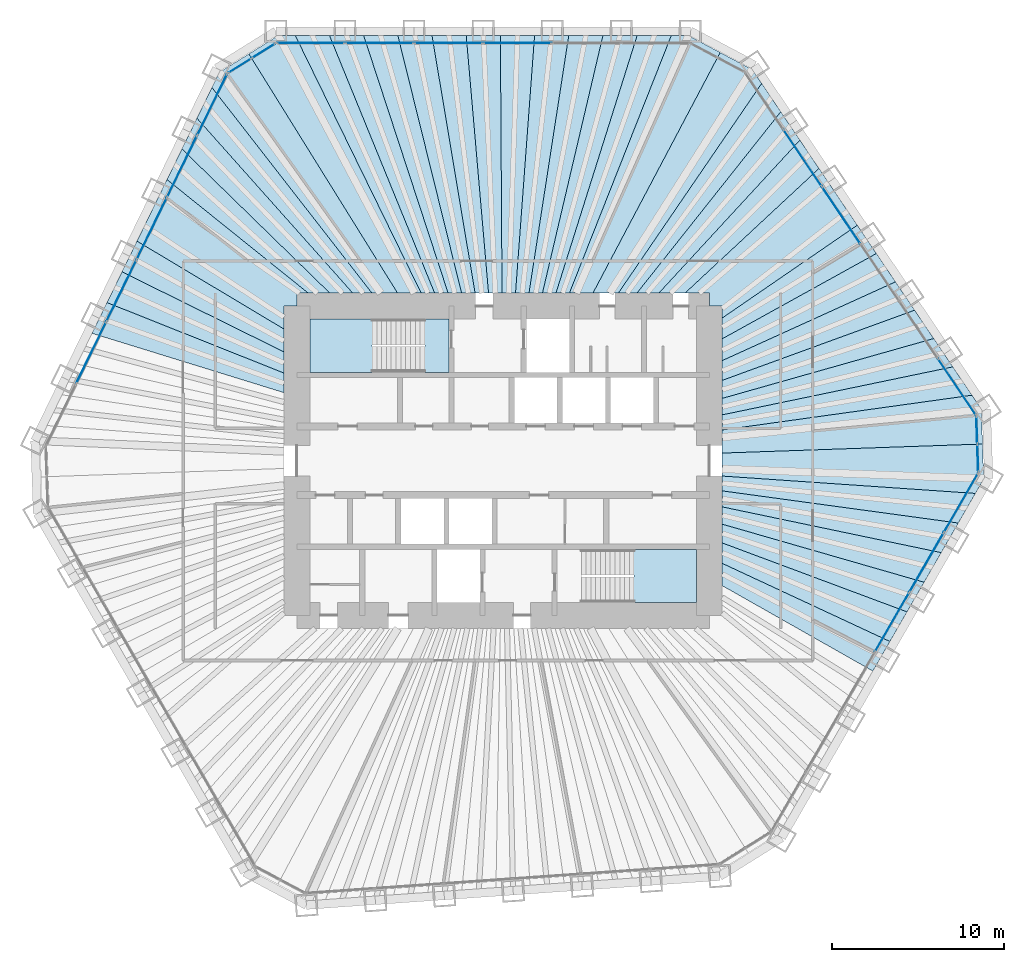
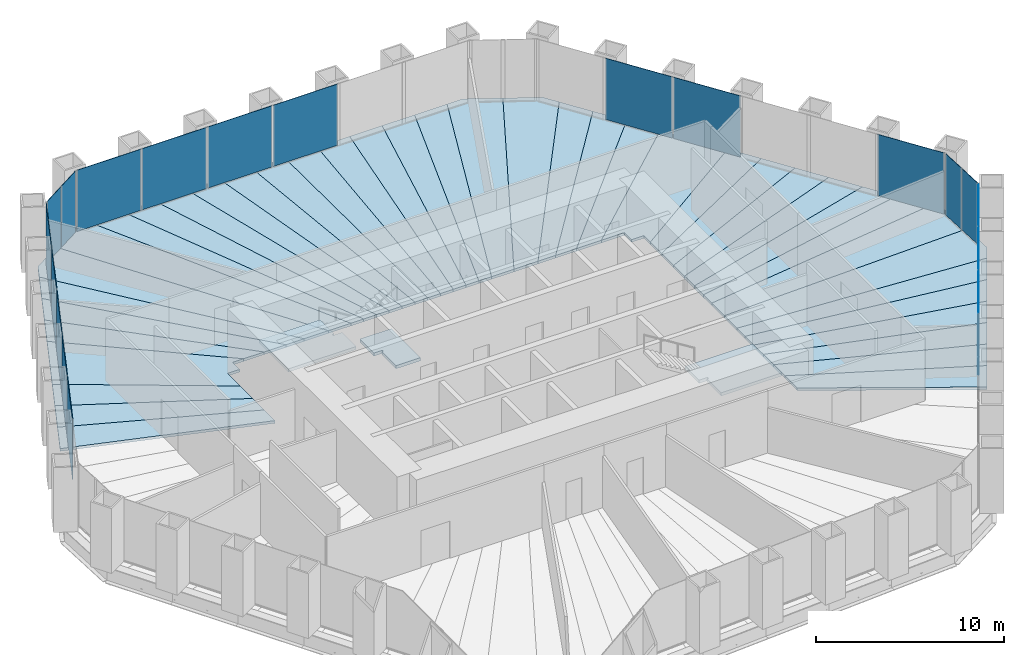
# One storey, part 9 of 13: 43 slabs, 19 plates, 8 elements without a shape of their own.
"""IFC4 building model written with IfcOpenShell, lengths in metres."""

from ifc_helpers import new_model, si_unit, direction, frame, origin, origin_2d, place, context, subcontext, project, spatial, polyline, rectangle, outline, extrude, material, layer, layer_set, type_object, element, aggregate, save


model = new_model("IFC4")

# Units and contexts
model_context = context("Model", 3, precision=1e-05, world=origin(), true_north=direction((0.0, 1.0)))
body_context = subcontext(model_context, "Body", "Model", "MODEL_VIEW")
ifc_project = project(units=[si_unit("LENGTHUNIT", "METRE"), si_unit("AREAUNIT", "SQUARE_METRE"), si_unit("VOLUMEUNIT", "CUBIC_METRE"), si_unit("PLANEANGLEUNIT", "RADIAN"), si_unit("MASSUNIT", "GRAM", prefix="KILO")], contexts=[model_context])

# Site, building, storey
site_placement = place(None, origin())
site = spatial("IfcSite", under=ifc_project, at=site_placement, CompositionType="ELEMENT")
building_placement = place(site_placement, origin())
building = spatial("IfcBuilding", under=site, at=building_placement, Name="Qingtian Harvest Tower", CompositionType="ELEMENT")
storey_placement = place(building_placement, frame((0.0, 0.0, 119.800048828125)))
storey = spatial("IfcBuildingStorey", under=building, at=storey_placement, Name="L24", CompositionType="ELEMENT", Elevation=119.800048828125)

# Slabs
ifc_material_1 = material(Name="Concrete fc' 35 MPa", Category="concrete")
ifc_layer_1 = layer(ifc_material_1, 0.169921875)
ifc_layer_set_1 = layer_set([ifc_layer_1], Name="Composite floor slab FS17 170")
slab_type_1 = type_object("IfcSlabType", Name="Composite floor slab FS17 170", PredefinedType="FLOOR", material=ifc_layer_set_1)
slab_1_placement = place(storey_placement, frame((0.0, 0.0, -0.170166015625)))
element("IfcSlab", 1, at=slab_1_placement, inside=storey, type_object=slab_type_1, Name="Floor slab L24 panel D33", PredefinedType="FLOOR", context=body_context, shape_type="SweptSolid", body=[
    extrude(outline(polyline([(12.75, -5.97021484375), (22.51220703125, -10.517578125), (21.517333984375, -12.24072265625), (12.75, -7.268798828125), (12.75, -5.97021484375)])), origin(), (0.0, 0.0, 1.0), 0.170166015625),
])
slab_2_placement = place(storey_placement, frame((0.0, 0.0, -0.170166015625)))
element("IfcSlab", 2, at=slab_2_placement, inside=storey, type_object=slab_type_1, Name="Floor slab L24 panel D34", PredefinedType="FLOOR", context=body_context, shape_type="SweptSolid", body=[
    extrude(outline(polyline([(12.75, -4.78173828125), (23.50732421875, -8.794189453125), (22.51220703125, -10.517578125), (12.75, -5.97021484375), (12.75, -4.78173828125)])), origin(), (0.0, 0.0, 1.0), 0.170166015625),
])
slab_3_placement = place(storey_placement, frame((0.0, 0.0, -0.170166015625)))
element("IfcSlab", 3, at=slab_3_placement, inside=storey, type_object=slab_type_1, Name="Floor slab L24 panel D35", PredefinedType="FLOOR", context=body_context, shape_type="SweptSolid", body=[
    extrude(outline(polyline([(12.75, -3.68994140625), (24.502197265625, -7.071044921875), (23.50732421875, -8.794189453125), (12.75, -4.78173828125), (12.75, -3.68994140625)])), origin(), (0.0, 0.0, 1.0), 0.170166015625),
])
slab_4_placement = place(storey_placement, frame((0.0, 0.0, -0.170166015625)))
element("IfcSlab", 4, at=slab_4_placement, inside=storey, type_object=slab_type_1, Name="Floor slab L24 panel D36", PredefinedType="FLOOR", context=body_context, shape_type="SweptSolid", body=[
    extrude(outline(polyline([(12.75, -2.683349609375), (25.4970703125, -5.34765625), (24.502197265625, -7.071044921875), (12.75, -3.68994140625), (12.75, -2.683349609375)])), origin(), (0.0, 0.0, 1.0), 0.170166015625),
])
slab_5_placement = place(storey_placement, frame((0.0, 0.0, -0.170166015625)))
element("IfcSlab", 5, at=slab_5_placement, inside=storey, type_object=slab_type_1, Name="Floor slab L24 panel D37", PredefinedType="FLOOR", context=body_context, shape_type="SweptSolid", body=[
    extrude(outline(polyline([(12.75, -1.752685546875), (26.4921875, -3.624267578125), (25.4970703125, -5.34765625), (12.75, -2.683349609375), (12.75, -1.752685546875)])), origin(), (0.0, 0.0, 1.0), 0.170166015625),
])
slab_6_placement = place(storey_placement, frame((0.0, 0.0, -0.170166015625)))
element("IfcSlab", 6, at=slab_6_placement, inside=storey, type_object=slab_type_1, Name="Floor slab L24 panel D38", PredefinedType="FLOOR", context=body_context, shape_type="SweptSolid", body=[
    extrude(outline(polyline([(12.75, -0.889404296875), (27.487060546875, -1.901123046875), (26.4921875, -3.624267578125), (12.75, -1.752685546875), (12.75, -0.889404296875)])), origin(), (0.0, 0.0, 1.0), 0.170166015625),
])
slab_7_placement = place(storey_placement, frame((0.0, 0.0, -0.170166015625)))
element("IfcSlab", 7, at=slab_7_placement, inside=storey, type_object=slab_type_1, Name="Floor slab L24 panel D39", PredefinedType="FLOOR", context=body_context, shape_type="SweptSolid", body=[
    extrude(outline(polyline([(12.75, -0.889404296875), (12.75, 0.447509765625), (27.90185546875, 0.974365234375), (27.972900390625, -1.059814453125), (27.487060546875, -1.901123046875), (12.75, -0.889404296875)])), origin(), (0.0, 0.0, 1.0), 0.170166015625),
])
slab_8_placement = place(storey_placement, frame((0.0, 0.0, -0.170166015625)))
element("IfcSlab", 8, at=slab_8_placement, inside=storey, type_object=slab_type_1, Name="Floor slab L24 panel D40", PredefinedType="FLOOR", context=body_context, shape_type="SweptSolid", body=[
    extrude(outline(polyline([(12.75, 0.447509765625), (12.75, 1.79052734375), (27.287353515625, 3.81396484375), (27.830810546875, 3.008544921875), (27.90185546875, 0.974365234375), (12.75, 0.447509765625)])), origin(), (0.0, 0.0, 1.0), 0.170166015625),
])
slab_9_placement = place(storey_placement, frame((0.0, 0.0, -0.170166015625)))
element("IfcSlab", 9, at=slab_9_placement, inside=storey, type_object=slab_type_1, Name="Floor slab L24 panel D41", PredefinedType="FLOOR", context=body_context, shape_type="SweptSolid", body=[
    extrude(outline(polyline([(12.75, 2.671142578125), (26.1748046875, 5.463623046875), (27.287353515625, 3.81396484375), (12.75, 1.79052734375), (12.75, 2.671142578125)])), origin(), (0.0, 0.0, 1.0), 0.170166015625),
])
slab_10_placement = place(storey_placement, frame((0.0, 0.0, -0.170166015625)))
element("IfcSlab", 10, at=slab_10_placement, inside=storey, type_object=slab_type_1, Name="Floor slab L24 panel D42", PredefinedType="FLOOR", context=body_context, shape_type="SweptSolid", body=[
    extrude(outline(polyline([(12.75, 3.6298828125), (25.06201171875, 7.11328125), (26.1748046875, 5.463623046875), (12.75, 2.671142578125), (12.75, 3.6298828125)])), origin(), (0.0, 0.0, 1.0), 0.170166015625),
])
slab_11_placement = place(storey_placement, frame((0.0, 0.0, -0.170166015625)))
element("IfcSlab", 11, at=slab_11_placement, inside=storey, type_object=slab_type_1, Name="Floor slab L24 panel D43", PredefinedType="FLOOR", context=body_context, shape_type="SweptSolid", body=[
    extrude(outline(polyline([(12.75, 4.677734375), (23.94921875, 8.762939453125), (25.06201171875, 7.11328125), (12.75, 3.6298828125), (12.75, 4.677734375)])), origin(), (0.0, 0.0, 1.0), 0.170166015625),
])
slab_12_placement = place(storey_placement, frame((0.0, 0.0, -0.170166015625)))
element("IfcSlab", 12, at=slab_12_placement, inside=storey, type_object=slab_type_1, Name="Floor slab L24 panel D44", PredefinedType="FLOOR", context=body_context, shape_type="SweptSolid", body=[
    extrude(outline(polyline([(12.75, 5.828125), (22.83642578125, 10.41259765625), (23.94921875, 8.762939453125), (12.75, 4.677734375), (12.75, 5.828125)])), origin(), (0.0, 0.0, 1.0), 0.170166015625),
])
slab_13_placement = place(storey_placement, frame((0.0, 0.0, -0.170166015625)))
element("IfcSlab", 13, at=slab_13_placement, inside=storey, type_object=slab_type_1, Name="Floor slab L24 panel D45", PredefinedType="FLOOR", context=body_context, shape_type="SweptSolid", body=[
    extrude(outline(polyline([(12.75, 7.096435546875), (21.723876953125, 12.062255859375), (22.83642578125, 10.41259765625), (12.75, 5.828125), (12.75, 7.096435546875)])), origin(), (0.0, 0.0, 1.0), 0.170166015625),
])
slab_14_placement = place(storey_placement, frame((0.0, 0.0, -0.170166015625)))
element("IfcSlab", 14, at=slab_14_placement, inside=storey, type_object=slab_type_1, Name="Floor slab L24 panel D46", PredefinedType="FLOOR", context=body_context, shape_type="SweptSolid", body=[
    extrude(outline(polyline([(12.75, 8.30615234375), (20.61328125, 13.708740234375), (21.723876953125, 12.062255859375), (12.75, 7.096435546875), (12.75, 8.30615234375)])), origin(), (0.0, 0.0, 1.0), 0.170166015625),
])
slab_15_placement = place(storey_placement, frame((0.0, 0.0, -0.170166015625)))
element("IfcSlab", 15, at=slab_15_placement, inside=storey, type_object=slab_type_1, Name="Floor slab L24 panel D48", PredefinedType="FLOOR", context=body_context, shape_type="SweptSolid", body=[
    extrude(outline(polyline([(18.38623046875, 17.010498046875), (20.61328125, 13.708740234375), (12.75, 8.30615234375), (12.75, 9.0), (12.0, 9.0), (12.0, 9.75), (10.578369140625, 9.75), (18.38623046875, 17.010498046875)])), origin(), (0.0, 0.0, 1.0), 0.170166015625),
])
slab_16_placement = place(storey_placement, frame((0.0, 0.0, -0.170166015625)))
element("IfcSlab", 16, at=slab_16_placement, inside=storey, type_object=slab_type_1, Name="Floor slab L24 panel D49", PredefinedType="FLOOR", context=body_context, shape_type="SweptSolid", body=[
    extrude(outline(polyline([(9.0556640625, 9.75), (17.2734375, 18.66015625), (18.38623046875, 17.010498046875), (10.578369140625, 9.75), (9.0556640625, 9.75)])), origin(), (0.0, 0.0, 1.0), 0.170166015625),
])
slab_17_placement = place(storey_placement, frame((0.0, 0.0, -0.170166015625)))
element("IfcSlab", 17, at=slab_17_placement, inside=storey, type_object=slab_type_1, Name="Floor slab L24 panel D50", PredefinedType="FLOOR", context=body_context, shape_type="SweptSolid", body=[
    extrude(outline(polyline([(7.781494140625, 9.75), (16.16064453125, 20.31005859375), (17.2734375, 18.66015625), (9.0556640625, 9.75), (7.781494140625, 9.75)])), origin(), (0.0, 0.0, 1.0), 0.170166015625),
])
slab_18_placement = place(storey_placement, frame((0.0, 0.0, -0.170166015625)))
element("IfcSlab", 18, at=slab_18_placement, inside=storey, type_object=slab_type_1, Name="Floor slab L24 panel D51", PredefinedType="FLOOR", context=body_context, shape_type="SweptSolid", body=[
    extrude(outline(polyline([(6.69970703125, 9.75), (15.0478515625, 21.959716796875), (16.16064453125, 20.31005859375), (7.781494140625, 9.75), (6.69970703125, 9.75)])), origin(), (0.0, 0.0, 1.0), 0.170166015625),
])
slab_19_placement = place(storey_placement, frame((0.0, 0.0, -0.170166015625)))
element("IfcSlab", 19, at=slab_19_placement, inside=storey, type_object=slab_type_1, Name="Floor slab L24 panel D52", PredefinedType="FLOOR", context=body_context, shape_type="SweptSolid", body=[
    extrude(outline(polyline([(6.69970703125, 9.75), (5.224609375, 9.75), (12.634033203125, 23.759765625), (14.504638671875, 22.765380859375), (15.0478515625, 21.959716796875), (6.69970703125, 9.75)])), origin(), (0.0, 0.0, 1.0), 0.170166015625),
])
slab_20_placement = place(storey_placement, frame((0.0, 0.0, -0.170166015625)))
element("IfcSlab", 20, at=slab_20_placement, inside=storey, type_object=slab_type_1, Name="Floor slab L24 panel D53", PredefinedType="FLOOR", context=body_context, shape_type="SweptSolid", body=[
    extrude(outline(polyline([(3.856201171875, 9.75), (9.791015625, 24.7548828125), (10.762451171875, 24.7548828125), (12.634033203125, 23.759765625), (5.224609375, 9.75), (3.856201171875, 9.75)])), origin(), (0.0, 0.0, 1.0), 0.170166015625),
])
slab_21_placement = place(storey_placement, frame((0.0, 0.0, -0.170166015625)))
element("IfcSlab", 21, at=slab_21_placement, inside=storey, type_object=slab_type_1, Name="Floor slab L24 panel D54", PredefinedType="FLOOR", context=body_context, shape_type="SweptSolid", body=[
    extrude(outline(polyline([(3.072509765625, 9.75), (7.80126953125, 24.7548828125), (9.791015625, 24.7548828125), (3.856201171875, 9.75), (3.072509765625, 9.75)])), origin(), (0.0, 0.0, 1.0), 0.170166015625),
])
slab_22_placement = place(storey_placement, frame((0.0, 0.0, -0.170166015625)))
element("IfcSlab", 22, at=slab_22_placement, inside=storey, type_object=slab_type_1, Name="Floor slab L24 panel D55", PredefinedType="FLOOR", context=body_context, shape_type="SweptSolid", body=[
    extrude(outline(polyline([(2.288818359375, 9.75), (5.811279296875, 24.7548828125), (7.80126953125, 24.7548828125), (3.072509765625, 9.75), (2.288818359375, 9.75)])), origin(), (0.0, 0.0, 1.0), 0.170166015625),
])
slab_23_placement = place(storey_placement, frame((0.0, 0.0, -0.170166015625)))
element("IfcSlab", 23, at=slab_23_placement, inside=storey, type_object=slab_type_1, Name="Floor slab L24 panel D56", PredefinedType="FLOOR", context=body_context, shape_type="SweptSolid", body=[
    extrude(outline(polyline([(1.505126953125, 9.75), (3.821533203125, 24.7548828125), (5.811279296875, 24.7548828125), (2.288818359375, 9.75), (1.505126953125, 9.75)])), origin(), (0.0, 0.0, 1.0), 0.170166015625),
])
slab_24_placement = place(storey_placement, frame((0.0, 0.0, -0.170166015625)))
element("IfcSlab", 24, at=slab_24_placement, inside=storey, type_object=slab_type_1, Name="Floor slab L24 panel D57", PredefinedType="FLOOR", context=body_context, shape_type="SweptSolid", body=[
    extrude(outline(polyline([(0.721435546875, 9.75), (1.831787109375, 24.7548828125), (3.821533203125, 24.7548828125), (1.505126953125, 9.75), (0.721435546875, 9.75)])), origin(), (0.0, 0.0, 1.0), 0.170166015625),
])
slab_25_placement = place(storey_placement, frame((0.0, 0.0, -0.170166015625)))
element("IfcSlab", 25, at=slab_25_placement, inside=storey, type_object=slab_type_1, Name="Floor slab L24 panel D58", PredefinedType="FLOOR", context=body_context, shape_type="SweptSolid", body=[
    extrude(outline(polyline([(-0.062255859375, 9.75), (-0.158203125, 24.7548828125), (1.831787109375, 24.7548828125), (0.721435546875, 9.75), (-0.062255859375, 9.75)])), origin(), (0.0, 0.0, 1.0), 0.170166015625),
])
slab_26_placement = place(storey_placement, frame((0.0, 0.0, -0.170166015625)))
element("IfcSlab", 26, at=slab_26_placement, inside=storey, type_object=slab_type_1, Name="Floor slab L24 panel D59", PredefinedType="FLOOR", context=body_context, shape_type="SweptSolid", body=[
    extrude(outline(polyline([(-0.845947265625, 9.75), (-2.14794921875, 24.7548828125), (-0.158203125, 24.7548828125), (-0.062255859375, 9.75), (-0.845947265625, 9.75)])), origin(), (0.0, 0.0, 1.0), 0.170166015625),
])
slab_27_placement = place(storey_placement, frame((0.0, 0.0, -0.170166015625)))
element("IfcSlab", 27, at=slab_27_placement, inside=storey, type_object=slab_type_1, Name="Floor slab L24 panel D60", PredefinedType="FLOOR", context=body_context, shape_type="SweptSolid", body=[
    extrude(outline(polyline([(-1.629638671875, 9.75), (-4.137939453125, 24.7548828125), (-2.14794921875, 24.7548828125), (-0.845947265625, 9.75), (-1.629638671875, 9.75)])), origin(), (0.0, 0.0, 1.0), 0.170166015625),
])
slab_28_placement = place(storey_placement, frame((0.0, 0.0, -0.170166015625)))
element("IfcSlab", 28, at=slab_28_placement, inside=storey, type_object=slab_type_1, Name="Floor slab L24 panel D61", PredefinedType="FLOOR", context=body_context, shape_type="SweptSolid", body=[
    extrude(outline(polyline([(-2.41357421875, 9.75), (-6.127685546875, 24.7548828125), (-4.137939453125, 24.7548828125), (-1.629638671875, 9.75), (-2.41357421875, 9.75)])), origin(), (0.0, 0.0, 1.0), 0.170166015625),
])
slab_29_placement = place(storey_placement, frame((0.0, 0.0, -0.170166015625)))
element("IfcSlab", 29, at=slab_29_placement, inside=storey, type_object=slab_type_1, Name="Floor slab L24 panel D62", PredefinedType="FLOOR", context=body_context, shape_type="SweptSolid", body=[
    extrude(outline(polyline([(-3.197265625, 9.75), (-8.117431640625, 24.7548828125), (-6.127685546875, 24.7548828125), (-2.41357421875, 9.75), (-3.197265625, 9.75)])), origin(), (0.0, 0.0, 1.0), 0.170166015625),
])
slab_30_placement = place(storey_placement, frame((0.0, 0.0, -0.170166015625)))
element("IfcSlab", 30, at=slab_30_placement, inside=storey, type_object=slab_type_1, Name="Floor slab L24 panel D63", PredefinedType="FLOOR", context=body_context, shape_type="SweptSolid", body=[
    extrude(outline(polyline([(-3.98095703125, 9.75), (-10.107421875, 24.7548828125), (-8.117431640625, 24.7548828125), (-3.197265625, 9.75), (-3.98095703125, 9.75)])), origin(), (0.0, 0.0, 1.0), 0.170166015625),
])
slab_31_placement = place(storey_placement, frame((0.0, 0.0, -0.170166015625)))
element("IfcSlab", 31, at=slab_31_placement, inside=storey, type_object=slab_type_1, Name="Floor slab L24 panel D64", PredefinedType="FLOOR", context=body_context, shape_type="SweptSolid", body=[
    extrude(outline(polyline([(-4.7646484375, 9.75), (-12.09716796875, 24.7548828125), (-10.107421875, 24.7548828125), (-3.98095703125, 9.75), (-4.7646484375, 9.75)])), origin(), (0.0, 0.0, 1.0), 0.170166015625),
])
slab_32_placement = place(storey_placement, frame((0.0, 0.0, -0.170166015625)))
element("IfcSlab", 32, at=slab_32_placement, inside=storey, type_object=slab_type_1, Name="Floor slab L24 panel D65", PredefinedType="FLOOR", context=body_context, shape_type="SweptSolid", body=[
    extrude(outline(polyline([(-4.7646484375, 9.75), (-6.13671875, 9.75), (-14.795166015625, 23.676025390625), (-13.068603515625, 24.7548828125), (-12.09716796875, 24.7548828125), (-4.7646484375, 9.75)])), origin(), (0.0, 0.0, 1.0), 0.170166015625),
])
slab_33_placement = place(storey_placement, frame((0.0, 0.0, -0.170166015625)))
element("IfcSlab", 33, at=slab_33_placement, inside=storey, type_object=slab_type_1, Name="Floor slab L24 panel D66", PredefinedType="FLOOR", context=body_context, shape_type="SweptSolid", body=[
    extrude(outline(polyline([(-6.13671875, 9.75), (-7.62646484375, 9.75), (-16.94677734375, 21.724609375), (-16.520751953125, 22.597900390625), (-14.795166015625, 23.676025390625), (-6.13671875, 9.75)])), origin(), (0.0, 0.0, 1.0), 0.170166015625),
])
slab_34_placement = place(storey_placement, frame((0.0, 0.0, -0.170166015625)))
element("IfcSlab", 34, at=slab_34_placement, inside=storey, type_object=slab_type_1, Name="Floor slab L24 panel D67", PredefinedType="FLOOR", context=body_context, shape_type="SweptSolid", body=[
    extrude(outline(polyline([(-8.74169921875, 9.75), (-17.819091796875, 19.93603515625), (-16.94677734375, 21.724609375), (-7.62646484375, 9.75), (-8.74169921875, 9.75)])), origin(), (0.0, 0.0, 1.0), 0.170166015625),
])
slab_35_placement = place(storey_placement, frame((0.0, 0.0, -0.170166015625)))
element("IfcSlab", 35, at=slab_35_placement, inside=storey, type_object=slab_type_1, Name="Floor slab L24 panel D68", PredefinedType="FLOOR", context=body_context, shape_type="SweptSolid", body=[
    extrude(outline(polyline([(-10.077880859375, 9.75), (-18.69140625, 18.1474609375), (-17.819091796875, 19.93603515625), (-8.74169921875, 9.75), (-10.077880859375, 9.75)])), origin(), (0.0, 0.0, 1.0), 0.170166015625),
])
slab_36_placement = place(storey_placement, frame((0.0, 0.0, -0.170166015625)))
element("IfcSlab", 36, at=slab_36_placement, inside=storey, type_object=slab_type_1, Name="Floor slab L24 panel D69", PredefinedType="FLOOR", context=body_context, shape_type="SweptSolid", body=[
    extrude(outline(polyline([(-11.329345703125, 9.75), (-19.561279296875, 16.364013671875), (-18.69140625, 18.1474609375), (-10.077880859375, 9.75), (-11.329345703125, 9.75)])), origin(), (0.0, 0.0, 1.0), 0.170166015625),
])
slab_37_placement = place(storey_placement, frame((0.0, 0.0, -0.170166015625)))
element("IfcSlab", 37, at=slab_37_placement, inside=storey, type_object=slab_type_1, Name="Floor slab L24 panel D70", PredefinedType="FLOOR", context=body_context, shape_type="SweptSolid", body=[
    extrude(outline(polyline([(-12.0, 9.0), (-12.75, 9.0), (-12.75, 7.662841796875), (-21.307861328125, 12.78271484375), (-19.561279296875, 16.364013671875), (-11.329345703125, 9.75), (-12.0, 9.75), (-12.0, 9.0)])), origin(), (0.0, 0.0, 1.0), 0.170166015625),
])
slab_38_placement = place(storey_placement, frame((0.0, 0.0, -0.170166015625)))
element("IfcSlab", 38, at=slab_38_placement, inside=storey, type_object=slab_type_1, Name="Floor slab L24 panel D72", PredefinedType="FLOOR", context=body_context, shape_type="SweptSolid", body=[
    extrude(outline(polyline([(-12.75, 6.332275390625), (-22.18017578125, 10.994384765625), (-21.307861328125, 12.78271484375), (-12.75, 7.662841796875), (-12.75, 6.332275390625)])), origin(), (0.0, 0.0, 1.0), 0.170166015625),
])
slab_39_placement = place(storey_placement, frame((0.0, 0.0, -0.170166015625)))
element("IfcSlab", 39, at=slab_39_placement, inside=storey, type_object=slab_type_1, Name="Floor slab L24 panel D73", PredefinedType="FLOOR", context=body_context, shape_type="SweptSolid", body=[
    extrude(outline(polyline([(-12.75, 5.1025390625), (-23.052490234375, 9.205810546875), (-22.18017578125, 10.994384765625), (-12.75, 6.332275390625), (-12.75, 5.1025390625)])), origin(), (0.0, 0.0, 1.0), 0.170166015625),
])
slab_40_placement = place(storey_placement, frame((0.0, 0.0, -0.170166015625)))
element("IfcSlab", 40, at=slab_40_placement, inside=storey, type_object=slab_type_1, Name="Floor slab L24 panel D74", PredefinedType="FLOOR", context=body_context, shape_type="SweptSolid", body=[
    extrude(outline(polyline([(-12.75, 3.962646484375), (-23.9248046875, 7.417236328125), (-23.052490234375, 9.205810546875), (-12.75, 5.1025390625), (-12.75, 3.962646484375)])), origin(), (0.0, 0.0, 1.0), 0.170166015625),
])

# Curtain wall, plates
ifc_material_2 = material(Name="Bronze-anodised aluminium curtain wall", Category="aluminium")
curtain_wall_type = type_object("IfcCurtainWallType", Name="Curtain wall CW4 office", PredefinedType="USERDEFINED", material=ifc_material_2)
curtain_wall_1_placement = place(storey_placement, origin())
curtain_wall_1 = element("IfcCurtainWall", 41, at=curtain_wall_1_placement, inside=storey, type_object=curtain_wall_type, Name="Curtain wall CW4 L24 N0-5", ObjectType="RECESSED CURTAIN WALL", PredefinedType="USERDEFINED")
ifc_material_3 = material(Name="Bronze-tinted laminated insulating glass", Category="glass")
ifc_layer_2 = layer(ifc_material_3, 0.030029296875)
ifc_layer_set_2 = layer_set([ifc_layer_2], Name="Glazed panel CWP tinted IGU")
plate_type = type_object("IfcPlateType", Name="Glazed panel CWP tinted IGU", PredefinedType="CURTAIN_PANEL", material=ifc_layer_set_2)
plate_1_placement = place(storey_placement, frame((-11.196044921875, 24.300048828125, 0.06494140625), z_axis=(0.0, 0.0, 1.0), x_axis=(1.0, 0.0, 0.0)))
plate_1 = element("IfcPlate", 42, at=plate_1_placement, type_object=plate_type, Name="CW4 panel 1.1", PredefinedType="CURTAIN_PANEL", context=body_context, shape_type="SweptSolid", body=[
    extrude(rectangle(XDim=3.921630859375, YDim=0.030029296875, at=origin_2d()), origin(), (0.0, 0.0, 1.0), 3.965087890625),
])
plate_2_placement = place(storey_placement, frame((-7.193115234375, 24.300048828125, 0.06494140625), z_axis=(0.0, 0.0, 1.0), x_axis=(1.0, 0.0, 0.0)))
plate_2 = element("IfcPlate", 43, at=plate_2_placement, type_object=plate_type, Name="CW4 panel 2.1", PredefinedType="CURTAIN_PANEL", context=body_context, shape_type="SweptSolid", body=[
    extrude(rectangle(XDim=3.9541015625, YDim=0.030029296875, at=origin_2d()), origin(), (0.0, 0.0, 1.0), 3.965087890625),
])
plate_3_placement = place(storey_placement, frame((-3.174072265625, 24.300048828125, 0.06494140625), z_axis=(0.0, 0.0, 1.0), x_axis=(1.0, 0.0, 0.0)))
plate_3 = element("IfcPlate", 44, at=plate_3_placement, type_object=plate_type, Name="CW4 panel 3.1", PredefinedType="CURTAIN_PANEL", context=body_context, shape_type="SweptSolid", body=[
    extrude(rectangle(XDim=3.9541015625, YDim=0.030029296875, at=origin_2d()), origin(), (0.0, 0.0, 1.0), 3.965087890625),
])
plate_4_placement = place(storey_placement, frame((0.844970703125, 24.300048828125, 0.06494140625), z_axis=(0.0, 0.0, 1.0), x_axis=(1.0, 0.0, 0.0)))
plate_4 = element("IfcPlate", 45, at=plate_4_placement, type_object=plate_type, Name="CW4 panel 4.1", PredefinedType="CURTAIN_PANEL", context=body_context, shape_type="SweptSolid", body=[
    extrude(rectangle(XDim=3.9541015625, YDim=0.030029296875, at=origin_2d()), origin(), (0.0, 0.0, 1.0), 3.965087890625),
])
aggregate(curtain_wall_1, [plate_1, plate_2, plate_3, plate_4])

curtain_wall_2_placement = place(storey_placement, origin())
curtain_wall_2 = element("IfcCurtainWall", 46, at=curtain_wall_2_placement, inside=storey, type_object=curtain_wall_type, Name="Curtain wall CW4 L24 NE0-5", ObjectType="RECESSED CURTAIN WALL", PredefinedType="USERDEFINED")
plate_5_placement = place(storey_placement, frame((17.425537109375, 17.620849609375, 0.06494140625), z_axis=(0.0, 0.0, 1.0), x_axis=(0.559192903471, -0.829037572555, 0.0)))
plate_5 = element("IfcPlate", 47, at=plate_5_placement, type_object=plate_type, Name="CW4 panel 2.1", PredefinedType="CURTAIN_PANEL", context=body_context, shape_type="SweptSolid", body=[
    extrude(rectangle(XDim=3.9541015625, YDim=0.030029296875, at=origin_2d()), origin(), (0.0, 0.0, 1.0), 3.965087890625),
])
plate_6_placement = place(storey_placement, frame((19.673095703125, 14.2890625, 0.06494140625), z_axis=(0.0, 0.0, 1.0), x_axis=(0.559192903471, -0.829037572555, 0.0)))
plate_6 = element("IfcPlate", 48, at=plate_6_placement, type_object=plate_type, Name="CW4 panel 3.1", PredefinedType="CURTAIN_PANEL", context=body_context, shape_type="SweptSolid", body=[
    extrude(rectangle(XDim=3.9541015625, YDim=0.030029296875, at=origin_2d()), origin(), (0.0, 0.0, 1.0), 3.965087890625),
])
plate_7_placement = place(storey_placement, frame((26.40625, 4.306640625, 0.06494140625), z_axis=(0.0, 0.0, 1.0), x_axis=(0.559192903471, -0.829037572555, 0.0)))
plate_7 = element("IfcPlate", 49, at=plate_7_placement, type_object=plate_type, Name="CW4 panel 6.1", PredefinedType="CURTAIN_PANEL", context=body_context, shape_type="SweptSolid", body=[
    extrude(rectangle(XDim=3.921630859375, YDim=0.030029296875, at=origin_2d()), origin(), (0.0, 0.0, 1.0), 3.965087890625),
])
aggregate(curtain_wall_2, [plate_5, plate_6, plate_7])

curtain_wall_3_placement = place(storey_placement, origin())
curtain_wall_3 = element("IfcCurtainWall", 50, at=curtain_wall_3_placement, inside=storey, type_object=curtain_wall_type, Name="Curtain wall CW4 L24 NEC", ObjectType="RECESSED CURTAIN WALL", PredefinedType="USERDEFINED")
plate_8_placement = place(storey_placement, frame((27.568603515625, 1.779052734375, 0.06494140625), z_axis=(0.0, 0.0, 1.0), x_axis=(0.034899496703, -0.999390827019, 0.0)))
plate_8 = element("IfcPlate", 51, at=plate_8_placement, type_object=plate_type, Name="CW4 panel 1.1", PredefinedType="CURTAIN_PANEL", context=body_context, shape_type="SweptSolid", body=[
    extrude(rectangle(XDim=1.56689453125, YDim=0.030029296875, at=origin_2d()), origin(), (0.0, 0.0, 1.0), 3.965087890625),
])
plate_9_placement = place(storey_placement, frame((27.625732421875, 0.148193359375, 0.06494140625), z_axis=(0.0, 0.0, 1.0), x_axis=(0.034899496703, -0.999390827019, 0.0)))
plate_9 = element("IfcPlate", 52, at=plate_9_placement, type_object=plate_type, Name="CW4 panel 2.1", PredefinedType="CURTAIN_PANEL", context=body_context, shape_type="SweptSolid", body=[
    extrude(rectangle(XDim=1.56689453125, YDim=0.030029296875, at=origin_2d()), origin(), (0.0, 0.0, 1.0), 3.965087890625),
])
aggregate(curtain_wall_3, [plate_8, plate_9])

curtain_wall_4_placement = place(storey_placement, origin())
curtain_wall_4 = element("IfcCurtainWall", 53, at=curtain_wall_4_placement, inside=storey, type_object=curtain_wall_type, Name="Curtain wall CW4 L24 SE0-5", ObjectType="RECESSED CURTAIN WALL", PredefinedType="USERDEFINED")
plate_10_placement = place(storey_placement, frame((26.642333984375, -2.4541015625, 0.06494140625), z_axis=(0.0, 0.0, 1.0), x_axis=(-0.5, -0.866025403784, 0.0)))
plate_10 = element("IfcPlate", 54, at=plate_10_placement, type_object=plate_type, Name="CW4 panel 1.1", PredefinedType="CURTAIN_PANEL", context=body_context, shape_type="SweptSolid", body=[
    extrude(rectangle(XDim=3.921630859375, YDim=0.030029296875, at=origin_2d()), origin(), (0.0, 0.0, 1.0), 3.965087890625),
])
plate_11_placement = place(storey_placement, frame((24.640869140625, -5.920654296875, 0.06494140625), z_axis=(0.0, 0.0, 1.0), x_axis=(-0.5, -0.866025403784, 0.0)))
plate_11 = element("IfcPlate", 55, at=plate_11_placement, type_object=plate_type, Name="CW4 panel 2.1", PredefinedType="CURTAIN_PANEL", context=body_context, shape_type="SweptSolid", body=[
    extrude(rectangle(XDim=3.9541015625, YDim=0.030029296875, at=origin_2d()), origin(), (0.0, 0.0, 1.0), 3.965087890625),
])
plate_12_placement = place(storey_placement, frame((22.63134765625, -9.401123046875, 0.06494140625), z_axis=(0.0, 0.0, 1.0), x_axis=(-0.5, -0.866025403784, 0.0)))
plate_12 = element("IfcPlate", 56, at=plate_12_placement, type_object=plate_type, Name="CW4 panel 3.1", PredefinedType="CURTAIN_PANEL", context=body_context, shape_type="SweptSolid", body=[
    extrude(rectangle(XDim=3.9541015625, YDim=0.030029296875, at=origin_2d()), origin(), (0.0, 0.0, 1.0), 3.965087890625),
])
aggregate(curtain_wall_4, [plate_10, plate_11, plate_12])

curtain_wall_5_placement = place(storey_placement, origin())
curtain_wall_5 = element("IfcCurtainWall", 57, at=curtain_wall_5_placement, inside=storey, type_object=curtain_wall_type, Name="Curtain wall CW4 L24 NW0-5", ObjectType="RECESSED CURTAIN WALL", PredefinedType="USERDEFINED")
plate_13_placement = place(storey_placement, frame((-23.972900390625, 6.280517578125, 0.06494140625), z_axis=(0.0, 0.0, 1.0), x_axis=(0.438371146789, 0.898794046299, 0.0)))
plate_13 = element("IfcPlate", 58, at=plate_13_placement, type_object=plate_type, Name="CW4 panel 2.1", PredefinedType="CURTAIN_PANEL", context=body_context, shape_type="SweptSolid", body=[
    extrude(rectangle(XDim=3.9541015625, YDim=0.030029296875, at=origin_2d()), origin(), (0.0, 0.0, 1.0), 3.965087890625),
])
plate_14_placement = place(storey_placement, frame((-22.211181640625, 9.892822265625, 0.06494140625), z_axis=(0.0, 0.0, 1.0), x_axis=(0.438371146789, 0.898794046299, 0.0)))
plate_14 = element("IfcPlate", 59, at=plate_14_placement, type_object=plate_type, Name="CW4 panel 3.1", PredefinedType="CURTAIN_PANEL", context=body_context, shape_type="SweptSolid", body=[
    extrude(rectangle(XDim=3.9541015625, YDim=0.030029296875, at=origin_2d()), origin(), (0.0, 0.0, 1.0), 3.965087890625),
])
plate_15_placement = place(storey_placement, frame((-20.44921875, 13.505126953125, 0.06494140625), z_axis=(0.0, 0.0, 1.0), x_axis=(0.438371146789, 0.898794046299, 0.0)))
plate_15 = element("IfcPlate", 60, at=plate_15_placement, type_object=plate_type, Name="CW4 panel 4.1", PredefinedType="CURTAIN_PANEL", context=body_context, shape_type="SweptSolid", body=[
    extrude(rectangle(XDim=3.9541015625, YDim=0.030029296875, at=origin_2d()), origin(), (0.0, 0.0, 1.0), 3.965087890625),
])
plate_16_placement = place(storey_placement, frame((-18.6875, 17.117431640625, 0.06494140625), z_axis=(0.0, 0.0, 1.0), x_axis=(0.438371146789, 0.898794046299, 0.0)))
plate_16 = element("IfcPlate", 61, at=plate_16_placement, type_object=plate_type, Name="CW4 panel 5.1", PredefinedType="CURTAIN_PANEL", context=body_context, shape_type="SweptSolid", body=[
    extrude(rectangle(XDim=3.9541015625, YDim=0.030029296875, at=origin_2d()), origin(), (0.0, 0.0, 1.0), 3.965087890625),
])
plate_17_placement = place(storey_placement, frame((-16.9326171875, 20.71533203125, 0.06494140625), z_axis=(0.0, 0.0, 1.0), x_axis=(0.438371146789, 0.898794046299, 0.0)))
plate_17 = element("IfcPlate", 62, at=plate_17_placement, type_object=plate_type, Name="CW4 panel 6.1", PredefinedType="CURTAIN_PANEL", context=body_context, shape_type="SweptSolid", body=[
    extrude(rectangle(XDim=3.921630859375, YDim=0.030029296875, at=origin_2d()), origin(), (0.0, 0.0, 1.0), 3.965087890625),
])
aggregate(curtain_wall_5, [plate_13, plate_14, plate_15, plate_16, plate_17])

curtain_wall_6_placement = place(storey_placement, origin())
curtain_wall_6 = element("IfcCurtainWall", 63, at=curtain_wall_6_placement, inside=storey, type_object=curtain_wall_type, Name="Curtain wall CW4 L24 NWC", ObjectType="RECESSED CURTAIN WALL", PredefinedType="USERDEFINED")
plate_18_placement = place(storey_placement, frame((-15.3251953125, 22.985595703125, 0.06494140625), z_axis=(0.0, 0.0, 1.0), x_axis=(0.848048096156, 0.529919264233, 0.0)))
plate_18 = element("IfcPlate", 64, at=plate_18_placement, type_object=plate_type, Name="CW4 panel 1.1", PredefinedType="CURTAIN_PANEL", context=body_context, shape_type="SweptSolid", body=[
    extrude(rectangle(XDim=1.56689453125, YDim=0.030029296875, at=origin_2d()), origin(), (0.0, 0.0, 1.0), 3.965087890625),
])
plate_19_placement = place(storey_placement, frame((-13.941162109375, 23.850341796875, 0.06494140625), z_axis=(0.0, 0.0, 1.0), x_axis=(0.848048096156, 0.529919264233, 0.0)))
plate_19 = element("IfcPlate", 65, at=plate_19_placement, type_object=plate_type, Name="CW4 panel 2.1", PredefinedType="CURTAIN_PANEL", context=body_context, shape_type="SweptSolid", body=[
    extrude(rectangle(XDim=1.56689453125, YDim=0.030029296875, at=origin_2d()), origin(), (0.0, 0.0, 1.0), 3.965087890625),
])
aggregate(curtain_wall_6, [plate_18, plate_19])

# Stair, slabs
ifc_material_4 = material(Name="Concrete fc' 35 MPa", Category="concrete")
stair_type = type_object("IfcStairType", Name="Special stair ST3 4200", PredefinedType="HALF_TURN_STAIR", material=ifc_material_4)
stair_1_placement = place(storey_placement, origin())
stair_1 = element("IfcStair", 66, at=stair_1_placement, inside=storey, type_object=stair_type, Name="Special stair S1 L24", PredefinedType="HALF_TURN_STAIR")
ifc_material_5 = material(Name="Concrete fc' 35 MPa", Category="concrete")
ifc_layer_3 = layer(ifc_material_5, 0.199951171875)
ifc_layer_set_3 = layer_set([ifc_layer_3], Name="Stair landing SL2 200")
slab_type_2 = type_object("IfcSlabType", Name="Stair landing SL2 200", PredefinedType="LANDING", material=ifc_layer_set_3)
slab_41_placement = place(storey_placement, frame((0.0, 0.0, -0.199951171875)))
slab_41 = element("IfcSlab", 67, at=slab_41_placement, type_object=slab_type_2, Name="S1 landing 1", PredefinedType="LANDING", context=body_context, shape_type="SweptSolid", body=[
    extrude(outline(polyline([(-4.64990234375, 5.14990234375), (-4.64990234375, 6.64990234375), (-4.550048828125, 6.64990234375), (-4.550048828125, 6.75), (-5.0849609375, 6.75), (-5.0849609375, 8.25), (-3.14990234375, 8.25), (-3.14990234375, 5.14990234375), (-4.64990234375, 5.14990234375)])), origin(), (0.0, 0.0, 1.0), 0.199951171875),
])
slab_42_placement = place(storey_placement, frame((0.0, 0.0, 1.89990234375)))
slab_42 = element("IfcSlab", 68, at=slab_42_placement, type_object=slab_type_2, Name="S1 landing 2", PredefinedType="LANDING", context=body_context, shape_type="SweptSolid", body=[
    extrude(outline(polyline([(-7.094970703125, 5.14990234375), (-11.25, 5.14990234375), (-11.25, 8.25), (-7.530029296875, 8.25), (-7.530029296875, 6.75), (-7.6298828125, 6.75), (-7.6298828125, 6.64990234375), (-7.094970703125, 6.64990234375), (-7.094970703125, 5.14990234375)])), origin(), (0.0, 0.0, 1.0), 0.199951171875),
])
aggregate(stair_1, [slab_41, slab_42])

# Stair, slab
stair_2_placement = place(storey_placement, origin())
stair_2 = element("IfcStair", 69, at=stair_2_placement, inside=storey, type_object=stair_type, Name="Special stair S2 L24", PredefinedType="HALF_TURN_STAIR")
slab_43_placement = place(storey_placement, frame((0.0, 0.0, 1.89990234375)))
slab_43 = element("IfcSlab", 70, at=slab_43_placement, type_object=slab_type_2, Name="S2 landing 2", PredefinedType="LANDING", context=body_context, shape_type="SweptSolid", body=[
    extrude(outline(polyline([(7.530029296875, -8.25), (7.530029296875, -6.75), (7.6298828125, -6.75), (7.6298828125, -6.64990234375), (7.094970703125, -6.64990234375), (7.094970703125, -5.14990234375), (11.25, -5.14990234375), (11.25, -8.25), (7.530029296875, -8.25)])), origin(), (0.0, 0.0, 1.0), 0.199951171875),
])
aggregate(stair_2, [slab_43])

save(model, "model.ifc")
